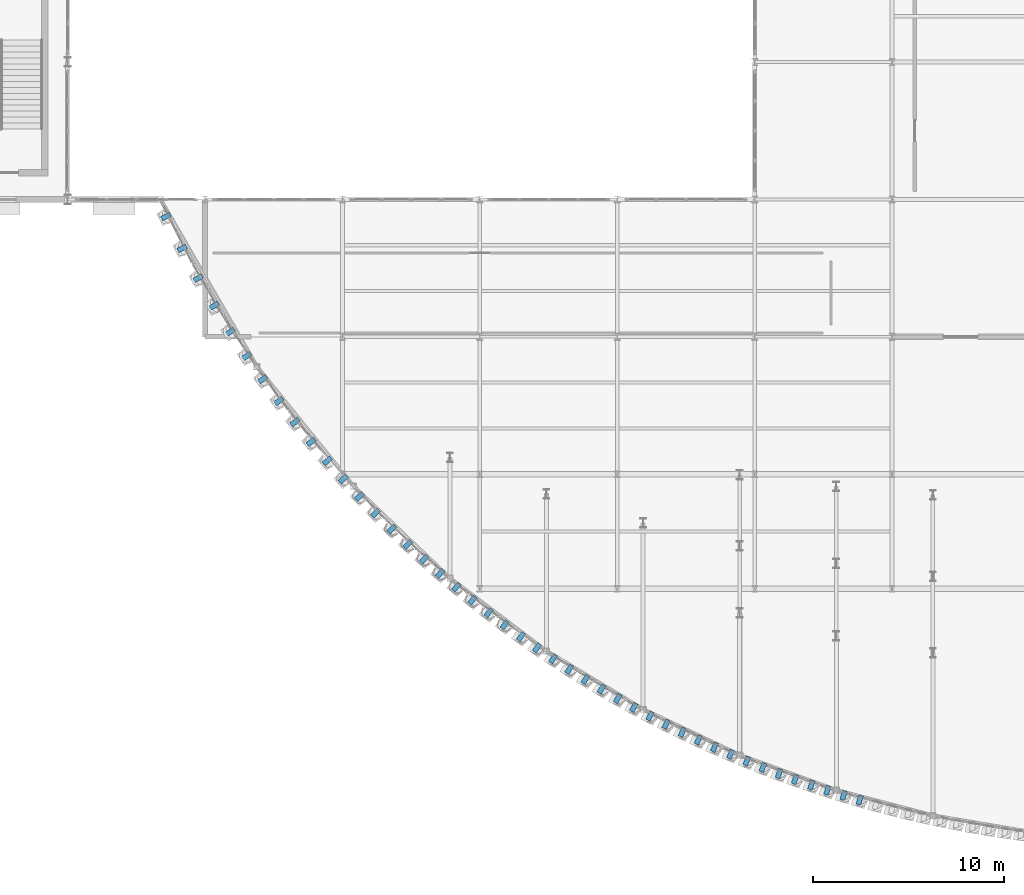
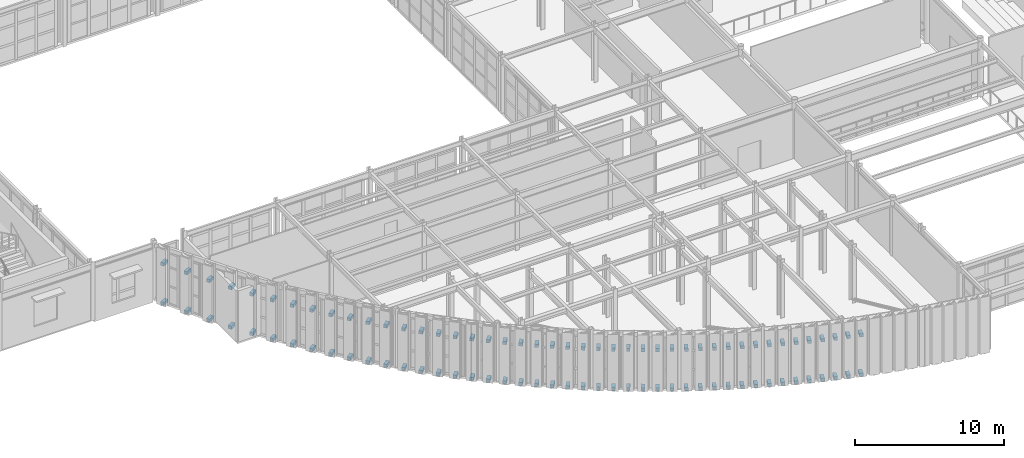
# One storey, part 101 of 121: 88 discrete accessories.
"""IFC4 building model written with IfcOpenShell, lengths in metres."""

from ifc_helpers import new_model, si_unit, direction, frame, origin, origin_2d, place, context, subcontext, project, spatial, rectangle, extrude, material, type_object, element, save


model = new_model("IFC4")

# Units and contexts
model_context = context("Model", 3, precision=1e-05, world=origin(), true_north=direction((0.0, 1.0)))
body_context = subcontext(model_context, "Body", "Model", "MODEL_VIEW")
ifc_project = project(units=[si_unit("LENGTHUNIT", "METRE"), si_unit("AREAUNIT", "SQUARE_METRE"), si_unit("VOLUMEUNIT", "CUBIC_METRE"), si_unit("PLANEANGLEUNIT", "RADIAN"), si_unit("MASSUNIT", "GRAM", prefix="KILO")], contexts=[model_context])

# Site, building, storey
site_placement = place(None, origin())
site = spatial("IfcSite", under=ifc_project, at=site_placement, CompositionType="ELEMENT")
building_placement = place(site_placement, origin())
building = spatial("IfcBuilding", under=site, at=building_placement, Name="Solvadek Multi-Sports Hall", CompositionType="ELEMENT")
storey_placement = place(building_placement, frame((0.0, 0.0, 4.800048828125)))
storey = spatial("IfcBuildingStorey", under=building, at=storey_placement, Name="L01", CompositionType="ELEMENT", Elevation=4.800048828125)

# Discrete accessories
ifc_material = material(Name="Steel E250 (250 MPa)", Category="steel")
discrete_accessory_type = type_object("IfcDiscreteAccessoryType", Name="ENV-BRK-CLEAT", PredefinedType="BRACKET", material=ifc_material)
for number, where, z_axis, x_axis, name in (
    (1, (26.75146484375, 19.50341796875, -0.01025390625), (0.0, 0.0, 1.0), (0.451555495273, -0.892243035663, 0.0), "L01 Screen Fixing Bracket #1"),
    (2, (26.75146484375, 19.50341796875, 3.2197265625), (0.0, 0.0, 1.0), (0.451555495273, -0.892243035663, 0.0), "L01 Screen Fixing Bracket #1"),
    (3, (27.594970703125, 17.836669921875, -0.01025390625), (0.0, 0.0, 1.0), (0.451555495273, -0.892243035663, 0.0), "L01 Screen Fixing Bracket #2"),
    (4, (27.594970703125, 17.836669921875, 3.2197265625), (0.0, 0.0, 1.0), (0.451555495273, -0.892243035663, 0.0), "L01 Screen Fixing Bracket #2"),
    (5, (28.4423828125, 16.275146484375, -0.01025390625), (0.0, 0.0, 1.0), (0.504933392767, -0.863158310432, 0.0), "L01 Screen Fixing Bracket #5"),
    (6, (28.4423828125, 16.275146484375, 3.2197265625), (0.0, 0.0, 1.0), (0.504933392767, -0.863158310432, 0.0), "L01 Screen Fixing Bracket #5"),
    (7, (29.28564453125, 14.83349609375, -0.01025390625), (0.0, 0.0, 1.0), (0.504933392767, -0.863158310432, 0.0), "L01 Screen Fixing Bracket #6"),
    (8, (29.28564453125, 14.83349609375, 3.2197265625), (0.0, 0.0, 1.0), (0.504933392767, -0.863158310432, 0.0), "L01 Screen Fixing Bracket #6"),
    (9, (30.13330078125, 13.46826171875, -0.01025390625), (0.0, 0.0, 1.0), (0.551610038251, -0.834102131457, 0.0), "L01 Screen Fixing Bracket #9"),
    (10, (30.13330078125, 13.46826171875, 3.2197265625), (0.0, 0.0, 1.0), (0.551610038251, -0.834102131457, 0.0), "L01 Screen Fixing Bracket #9"),
    (11, (30.976806640625, 12.19287109375, -0.01025390625), (0.0, 0.0, 1.0), (0.551610038251, -0.834102131457, 0.0), "L01 Screen Fixing Bracket #10"),
    (12, (30.976806640625, 12.19287109375, 3.2197265625), (0.0, 0.0, 1.0), (0.551610038251, -0.834102131457, 0.0), "L01 Screen Fixing Bracket #10"),
    (13, (31.82421875, 10.97705078125, -0.01025390625), (0.0, 0.0, 1.0), (0.593159455627, -0.805085001848, 0.0), "L01 Screen Fixing Bracket #13"),
    (14, (31.82421875, 10.97705078125, 3.2197265625), (0.0, 0.0, 1.0), (0.593159455627, -0.805085001848, 0.0), "L01 Screen Fixing Bracket #13"),
    (15, (32.667724609375, 9.832275390625, -0.01025390625), (0.0, 0.0, 1.0), (0.593159455627, -0.805085001848, 0.0), "L01 Screen Fixing Bracket #14"),
    (16, (32.667724609375, 9.832275390625, 3.2197265625), (0.0, 0.0, 1.0), (0.593159455627, -0.805085001848, 0.0), "L01 Screen Fixing Bracket #14"),
    (17, (33.51513671875, 8.735595703125, -0.01025390625), (0.0, 0.0, 1.0), (0.630677076434, -0.776045375774, 0.0), "L01 Screen Fixing Bracket #17"),
    (18, (33.51513671875, 8.735595703125, 3.2197265625), (0.0, 0.0, 1.0), (0.630677076434, -0.776045375774, 0.0), "L01 Screen Fixing Bracket #17"),
    (19, (34.358642578125, 7.69775390625, -0.01025390625), (0.0, 0.0, 1.0), (0.630677076434, -0.776045375774, 0.0), "L01 Screen Fixing Bracket #18"),
    (20, (34.358642578125, 7.69775390625, 3.2197265625), (0.0, 0.0, 1.0), (0.630677076434, -0.776045375774, 0.0), "L01 Screen Fixing Bracket #18"),
    (21, (35.2060546875, 6.7001953125, -0.01025390625), (0.0, 0.0, 1.0), (0.664767330468, -0.747050464388, 0.0), "L01 Screen Fixing Bracket #21"),
    (22, (35.2060546875, 6.7001953125, 3.2197265625), (0.0, 0.0, 1.0), (0.664767330468, -0.747050464388, 0.0), "L01 Screen Fixing Bracket #21"),
    (23, (36.049560546875, 5.75244140625, -0.01025390625), (0.0, 0.0, 1.0), (0.664767330468, -0.747050464388, 0.0), "L01 Screen Fixing Bracket #22"),
    (24, (36.049560546875, 5.75244140625, 3.2197265625), (0.0, 0.0, 1.0), (0.664767330468, -0.747050464388, 0.0), "L01 Screen Fixing Bracket #22"),
    (25, (36.89697265625, 4.8388671875, -0.01025390625), (0.0, 0.0, 1.0), (0.696004704957, -0.718037220956, 0.0), "L01 Screen Fixing Bracket #25"),
    (26, (36.89697265625, 4.8388671875, 3.2197265625), (0.0, 0.0, 1.0), (0.696004704957, -0.718037220956, 0.0), "L01 Screen Fixing Bracket #25"),
    (27, (37.740478515625, 3.96875, -0.01025390625), (0.0, 0.0, 1.0), (0.696004704957, -0.718037220956, 0.0), "L01 Screen Fixing Bracket #26"),
    (28, (37.740478515625, 3.96875, 3.2197265625), (0.0, 0.0, 1.0), (0.696004704957, -0.718037220956, 0.0), "L01 Screen Fixing Bracket #26"),
    (29, (38.587890625, 3.12890625, -0.01025390625), (0.0, 0.0, 1.0), (0.724733346655, -0.689029445123, 0.0), "L01 Screen Fixing Bracket #29"),
    (30, (38.587890625, 3.12890625, 3.2197265625), (0.0, 0.0, 1.0), (0.724733346655, -0.689029445123, 0.0), "L01 Screen Fixing Bracket #29"),
    (31, (39.431396484375, 2.326904296875, -0.01025390625), (0.0, 0.0, 1.0), (0.724733346655, -0.689029445123, 0.0), "L01 Screen Fixing Bracket #30"),
    (32, (39.431396484375, 2.326904296875, 3.2197265625), (0.0, 0.0, 1.0), (0.724733346655, -0.689029445123, 0.0), "L01 Screen Fixing Bracket #30"),
    (33, (40.27880859375, 1.5517578125, -0.01025390625), (0.0, 0.0, 1.0), (0.751215081629, -0.660057498353, 0.0), "L01 Screen Fixing Bracket #33"),
    (34, (40.27880859375, 1.5517578125, 3.2197265625), (0.0, 0.0, 1.0), (0.751215081629, -0.660057498353, 0.0), "L01 Screen Fixing Bracket #33"),
    (35, (41.122314453125, 0.810791015625, -0.01025390625), (0.0, 0.0, 1.0), (0.751215081629, -0.660057498353, 0.0), "L01 Screen Fixing Bracket #34"),
    (36, (41.122314453125, 0.810791015625, 3.2197265625), (0.0, 0.0, 1.0), (0.751215081629, -0.660057498353, 0.0), "L01 Screen Fixing Bracket #34"),
    (37, (41.9697265625, 0.09375, -0.01025390625), (0.0, 0.0, 1.0), (0.775755175732, -0.631033998549, 0.0), "L01 Screen Fixing Bracket #37"),
    (38, (41.9697265625, 0.09375, 3.2197265625), (0.0, 0.0, 1.0), (0.775755175732, -0.631033998549, 0.0), "L01 Screen Fixing Bracket #37"),
    (39, (42.813232421875, -0.592529296875, -0.01025390625), (0.0, 0.0, 1.0), (0.775755175732, -0.631033998549, 0.0), "L01 Screen Fixing Bracket #38"),
    (40, (42.813232421875, -0.592529296875, 3.2197265625), (0.0, 0.0, 1.0), (0.775755175732, -0.631033998549, 0.0), "L01 Screen Fixing Bracket #38"),
    (41, (43.66064453125, -1.256591796875, -0.01025390625), (0.0, 0.0, 1.0), (0.798475077393, -0.602027865453, 0.0), "L01 Screen Fixing Bracket #41"),
    (42, (43.66064453125, -1.256591796875, 3.2197265625), (0.0, 0.0, 1.0), (0.798475077393, -0.602027865453, 0.0), "L01 Screen Fixing Bracket #41"),
    (43, (44.504150390625, -1.892578125, -0.01025390625), (0.0, 0.0, 1.0), (0.798475077393, -0.602027865453, 0.0), "L01 Screen Fixing Bracket #42"),
    (44, (44.504150390625, -1.892578125, 3.2197265625), (0.0, 0.0, 1.0), (0.798475077393, -0.602027865453, 0.0), "L01 Screen Fixing Bracket #42"),
    (45, (45.3515625, -2.50830078125, -0.01025390625), (0.0, 0.0, 1.0), (0.819512548695, -0.573061238029, 0.0), "L01 Screen Fixing Bracket #45"),
    (46, (45.3515625, -2.50830078125, 3.2197265625), (0.0, 0.0, 1.0), (0.819512548695, -0.573061238029, 0.0), "L01 Screen Fixing Bracket #45"),
    (47, (46.195068359375, -3.09814453125, -0.01025390625), (0.0, 0.0, 1.0), (0.819512548695, -0.573061238029, 0.0), "L01 Screen Fixing Bracket #46"),
    (48, (46.195068359375, -3.09814453125, 3.2197265625), (0.0, 0.0, 1.0), (0.819512548695, -0.573061238029, 0.0), "L01 Screen Fixing Bracket #46"),
    (49, (47.04248046875, -3.669189453125, -0.01025390625), (0.0, 0.0, 1.0), (0.839053337602, -0.544049167502, 0.0), "L01 Screen Fixing Bracket #49"),
    (50, (47.04248046875, -3.669189453125, 3.2197265625), (0.0, 0.0, 1.0), (0.839053337602, -0.544049167502, 0.0), "L01 Screen Fixing Bracket #49"),
    (51, (47.885986328125, -4.216064453125, -0.01025390625), (0.0, 0.0, 1.0), (0.839053337602, -0.544049167502, 0.0), "L01 Screen Fixing Bracket #50"),
    (52, (47.885986328125, -4.216064453125, 3.2197265625), (0.0, 0.0, 1.0), (0.839053337602, -0.544049167502, 0.0), "L01 Screen Fixing Bracket #50"),
    (53, (48.7333984375, -4.74560546875, -0.01025390625), (0.0, 0.0, 1.0), (0.857129541862, -0.515100910956, 0.0), "L01 Screen Fixing Bracket #53"),
    (54, (48.7333984375, -4.74560546875, 3.2197265625), (0.0, 0.0, 1.0), (0.857129541862, -0.515100910956, 0.0), "L01 Screen Fixing Bracket #53"),
    (55, (49.576904296875, -5.25244140625, -0.01025390625), (0.0, 0.0, 1.0), (0.857129541862, -0.515100910956, 0.0), "L01 Screen Fixing Bracket #54"),
    (56, (49.576904296875, -5.25244140625, 3.2197265625), (0.0, 0.0, 1.0), (0.857129541862, -0.515100910956, 0.0), "L01 Screen Fixing Bracket #54"),
    (57, (50.42431640625, -5.74267578125, -0.01025390625), (0.0, 0.0, 1.0), (0.873929914462, -0.486051956696, 0.0), "L01 Screen Fixing Bracket #57"),
    (58, (50.42431640625, -5.74267578125, 3.2197265625), (0.0, 0.0, 1.0), (0.873929914462, -0.486051956696, 0.0), "L01 Screen Fixing Bracket #57"),
    (59, (51.267822265625, -6.2119140625, -0.01025390625), (0.0, 0.0, 1.0), (0.873929914462, -0.486051956696, 0.0), "L01 Screen Fixing Bracket #58"),
    (60, (51.267822265625, -6.2119140625, 3.2197265625), (0.0, 0.0, 1.0), (0.873929914462, -0.486051956696, 0.0), "L01 Screen Fixing Bracket #58"),
    (61, (52.115234375, -6.665283203125, -0.01025390625), (0.0, 0.0, 1.0), (0.889426842209, -0.457077556174, 0.0), "L01 Screen Fixing Bracket #61"),
    (62, (52.115234375, -6.665283203125, 3.2197265625), (0.0, 0.0, 1.0), (0.889426842209, -0.457077556174, 0.0), "L01 Screen Fixing Bracket #61"),
    (63, (52.958740234375, -7.0986328125, -0.01025390625), (0.0, 0.0, 1.0), (0.889426842209, -0.457077556174, 0.0), "L01 Screen Fixing Bracket #62"),
    (64, (52.958740234375, -7.0986328125, 3.2197265625), (0.0, 0.0, 1.0), (0.889426842209, -0.457077556174, 0.0), "L01 Screen Fixing Bracket #62"),
    (65, (53.80615234375, -7.51708984375, -0.01025390625), (0.0, 0.0, 1.0), (0.903719292524, -0.428125495994, 0.0), "L01 Screen Fixing Bracket #65"),
    (66, (53.80615234375, -7.51708984375, 3.2197265625), (0.0, 0.0, 1.0), (0.903719292524, -0.428125495994, 0.0), "L01 Screen Fixing Bracket #65"),
    (67, (54.649658203125, -7.916748046875, -0.01025390625), (0.0, 0.0, 1.0), (0.903719292524, -0.428125495994, 0.0), "L01 Screen Fixing Bracket #66"),
    (68, (54.649658203125, -7.916748046875, 3.2197265625), (0.0, 0.0, 1.0), (0.903719292524, -0.428125495994, 0.0), "L01 Screen Fixing Bracket #66"),
    (69, (55.4970703125, -8.302001953125, -0.01025390625), (0.0, 0.0, 1.0), (0.916917898667, -0.399075891409, 0.0), "L01 Screen Fixing Bracket #69"),
    (70, (55.4970703125, -8.302001953125, 3.2197265625), (0.0, 0.0, 1.0), (0.916917898667, -0.399075891409, 0.0), "L01 Screen Fixing Bracket #69"),
    (71, (56.340576171875, -8.6689453125, -0.01025390625), (0.0, 0.0, 1.0), (0.916917898667, -0.399075891409, 0.0), "L01 Screen Fixing Bracket #70"),
    (72, (56.340576171875, -8.6689453125, 3.2197265625), (0.0, 0.0, 1.0), (0.916917898667, -0.399075891409, 0.0), "L01 Screen Fixing Bracket #70"),
    (73, (57.18798828125, -9.022216796875, -0.01025390625), (0.0, 0.0, 1.0), (0.92898095972, -0.370127513808, 0.0), "L01 Screen Fixing Bracket #73"),
    (74, (57.18798828125, -9.022216796875, 3.2197265625), (0.0, 0.0, 1.0), (0.92898095972, -0.370127513808, 0.0), "L01 Screen Fixing Bracket #73"),
    (75, (58.031494140625, -9.3583984375, -0.01025390625), (0.0, 0.0, 1.0), (0.92898095972, -0.370127513808, 0.0), "L01 Screen Fixing Bracket #74"),
    (76, (58.031494140625, -9.3583984375, 3.2197265625), (0.0, 0.0, 1.0), (0.92898095972, -0.370127513808, 0.0), "L01 Screen Fixing Bracket #74"),
    (77, (58.879150390625, -9.680908203125, -0.01025390625), (0.0, 0.0, 1.0), (0.940004762404, -0.341161320576, 0.0), "L01 Screen Fixing Bracket #77"),
    (78, (58.879150390625, -9.680908203125, 3.2197265625), (0.0, 0.0, 1.0), (0.940004762404, -0.341161320576, 0.0), "L01 Screen Fixing Bracket #77"),
    (79, (59.722412109375, -9.987060546875, -0.01025390625), (0.0, 0.0, 1.0), (0.940004762404, -0.341161320576, 0.0), "L01 Screen Fixing Bracket #78"),
    (80, (59.722412109375, -9.987060546875, 3.2197265625), (0.0, 0.0, 1.0), (0.940004762404, -0.341161320576, 0.0), "L01 Screen Fixing Bracket #78"),
    (81, (60.56982421875, -10.280029296875, -0.01025390625), (0.0, 0.0, 1.0), (0.950042962408, -0.312119159264, 0.0), "L01 Screen Fixing Bracket #81"),
    (82, (60.56982421875, -10.280029296875, 3.2197265625), (0.0, 0.0, 1.0), (0.950042962408, -0.312119159264, 0.0), "L01 Screen Fixing Bracket #81"),
    (83, (61.413330078125, -10.55712890625, -0.01025390625), (0.0, 0.0, 1.0), (0.950042962408, -0.312119159264, 0.0), "L01 Screen Fixing Bracket #82"),
    (84, (61.413330078125, -10.55712890625, 3.2197265625), (0.0, 0.0, 1.0), (0.950042962408, -0.312119159264, 0.0), "L01 Screen Fixing Bracket #82"),
    (85, (62.260986328125, -10.821533203125, -0.01025390625), (0.0, 0.0, 1.0), (0.959064393359, -0.2831880813, 0.0), "L01 Screen Fixing Bracket #85"),
    (86, (62.260986328125, -10.821533203125, 3.2197265625), (0.0, 0.0, 1.0), (0.959064393359, -0.2831880813, 0.0), "L01 Screen Fixing Bracket #85"),
    (87, (63.104248046875, -11.070556640625, -0.01025390625), (0.0, 0.0, 1.0), (0.959064393359, -0.2831880813, 0.0), "L01 Screen Fixing Bracket #86"),
    (88, (63.104248046875, -11.070556640625, 3.2197265625), (0.0, 0.0, 1.0), (0.959064393359, -0.2831880813, 0.0), "L01 Screen Fixing Bracket #86"),
):
    element("IfcDiscreteAccessory", number, at=place(storey_placement, frame(where, z_axis=z_axis, x_axis=x_axis)), inside=storey, type_object=discrete_accessory_type, Name=name, PredefinedType="BRACKET", context=body_context, shape_type="SweptSolid", body=[
        extrude(rectangle(XDim=0.260009765625, YDim=0.5, at=origin_2d()), origin(), (0.0, 0.0, 1.0), 0.260009765625),
    ])

save(model, "model.ifc")
